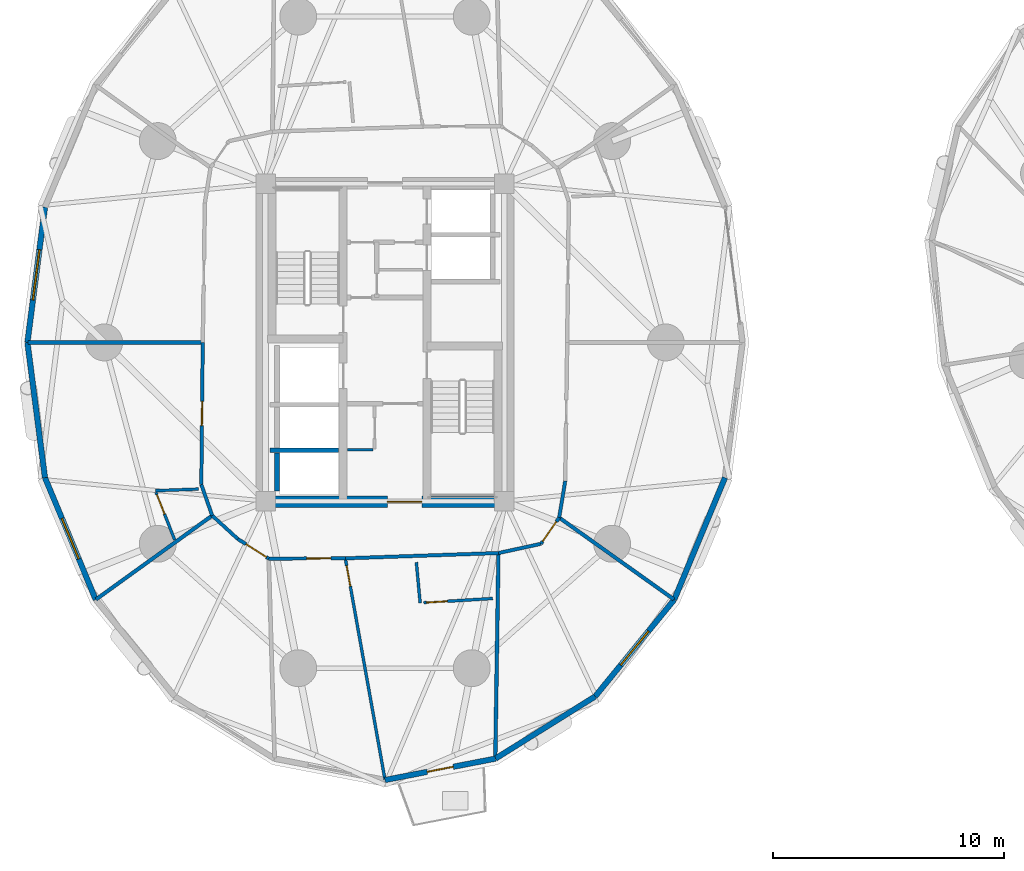
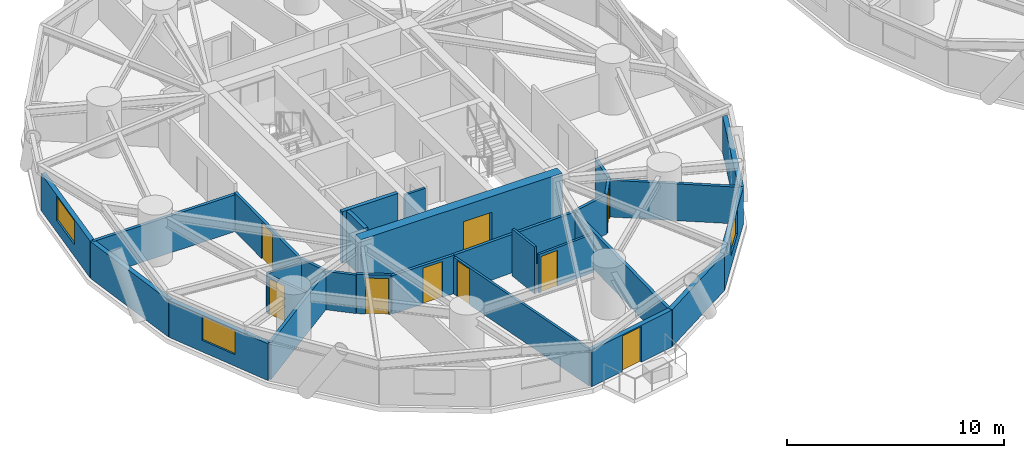
# One storey, part 9 of 19: 29 walls, 9 doors, 3 windows, 12 openings.
"""IFC4 building model written with IfcOpenShell, lengths in metres."""

from ifc_helpers import new_model, si_unit, direction, frame, frame_2d, origin, place, context, subcontext, project, spatial, rectangle, extrude, source, transform, mapped, material, layer, layer_set, type_object, element, fill, save


model = new_model("IFC4")

# Units and contexts
model_context = context("Model", 3, precision=1e-05, world=origin(), true_north=direction((0.0, 1.0)))
body_context = subcontext(model_context, "Body", "Model", "MODEL_VIEW")
ifc_project = project(units=[si_unit("LENGTHUNIT", "METRE"), si_unit("AREAUNIT", "SQUARE_METRE"), si_unit("VOLUMEUNIT", "CUBIC_METRE"), si_unit("PLANEANGLEUNIT", "RADIAN"), si_unit("MASSUNIT", "GRAM", prefix="KILO")], contexts=[model_context])

# Site, building, storey
site_placement = place(None, origin())
site = spatial("IfcSite", under=ifc_project, at=site_placement, CompositionType="ELEMENT")
building_placement = place(site_placement, origin())
building = spatial("IfcBuilding", under=site, at=building_placement, Name="Cununo Teusaquillo Station Towers", CompositionType="ELEMENT")
storey_placement = place(building_placement, frame((0.0, 0.0, 33.639892578125)))
storey = spatial("IfcBuildingStorey", under=building, at=storey_placement, Name="L09", CompositionType="ELEMENT", Elevation=33.639892578125)

# Walls
ifc_material_1 = material(Name="Concrete C50/60", Category="concrete")
ifc_layer_1 = layer(ifc_material_1, 0.199951171875)
ifc_layer_set_1 = layer_set([ifc_layer_1], Name="Concrete C50/60")
wall_type_1 = type_object("IfcWallType", Name="WL-CORE-200", PredefinedType="SHEAR", material=ifc_layer_set_1)
wall_1_placement = place(storey_placement, frame((11.52001953125, 19.824951171875, 0.0), z_axis=(0.0, 0.0, 1.0), x_axis=(1.0, 0.0, 0.0)))
element("IfcWall", 1, at=wall_1_placement, inside=storey, type_object=wall_type_1, Name="L09 Tower A High-Rise Lift Hoistway Divider Shear Wall", PredefinedType="SHEAR", context=body_context, shape_type="SweptSolid", body=[
    extrude(rectangle(XDim=2.969970703125, YDim=0.199951171875, at=frame_2d((1.48486328125, 0.0))), origin(), (0.0, 0.0, 1.0), 2.91015625),
])
wall_2_placement = place(storey_placement, frame((11.820068359375, 18.070068359375, 0.0), z_axis=(0.0, 0.0, 1.0), x_axis=(0.0, 1.0, 0.0)))
element("IfcWall", 2, at=wall_2_placement, inside=storey, type_object=wall_type_1, Name="L09 Tower A High-Rise Lift 1 Shaft Rear Shear Wall", PredefinedType="SHEAR", context=body_context, shape_type="SweptSolid", body=[
    extrude(rectangle(XDim=1.635009765625, YDim=0.199951171875, at=frame_2d((0.8173828125, 0.0))), origin(), (0.0, 0.0, 1.0), 2.91015625),
])

# Wall, opening, door
ifc_material_2 = material(Name="Concrete C60/75", Category="concrete")
ifc_layer_2 = layer(ifc_material_2, 0.5)
ifc_layer_set_2 = layer_set([ifc_layer_2], Name="Concrete C60/75")
wall_type_2 = type_object("IfcWallType", Name="WL-CORE-500", PredefinedType="SHEAR", material=ifc_layer_set_2)
wall_3_placement = place(storey_placement, frame((11.14990234375, 17.60009765625, 0.0), z_axis=(0.0, 0.0, 1.0), x_axis=(1.0, 0.0, 0.0)))
wall_3 = element("IfcWall", 3, at=wall_3_placement, inside=storey, type_object=wall_type_2, Name="L09 Tower A Core Shear Wall S", PredefinedType="SHEAR", context=body_context, shape_type="SweptSolid", body=[
    extrude(rectangle(XDim=10.7001953125, YDim=0.5, at=frame_2d((5.35009765625, 0.0))), origin(), (0.0, 0.0, 1.0), 2.91015625),
])
shared_shape_1 = source(origin(), body_context, "Body", "SweptSolid", [
    extrude(rectangle(XDim=1.5, YDim=2.02001953125, at=frame_2d((0.75, 1.010009765625))), frame((0.0, 0.260009765625, 0.0), z_axis=(0.0, -1.0, 0.0), x_axis=(1.0, 0.0, 0.0)), (0.0, 0.0, 1.0), 0.52001953125),
])
opening_1_placement = place(wall_3_placement, frame((5.449951171875, 0.0, 0.0)))
opening_1 = element("IfcOpeningElement", 4, at=opening_1_placement, cuts=wall_3, Name="Opening D-LB1", PredefinedType="OPENING", context=body_context, shape_type="MappedRepresentation", body=[
    mapped(shared_shape_1, transform((0.0, 0.0, 0.0), x_axis=(1.0, 0.0, 0.0), y_axis=(0.0, 1.0, 0.0), z_axis=(0.0, 0.0, 1.0), scale=1.0)),
])
ifc_material_3 = material(Name="Galvanised fire-rated hollow steel door assembly", Category="steel")
door_type_1 = type_object("IfcDoorType", Name="DR-LOBBY-1500", OperationType="DOUBLE_DOOR_SINGLE_SWING", PredefinedType="DOOR", material=ifc_material_3)
shared_shape_2 = source(origin(), body_context, "Body", "SweptSolid", [
    extrude(rectangle(XDim=1.5, YDim=2.02001953125, at=frame_2d((0.75, 1.010009765625))), frame((0.0, 0.02490234375, 0.0), z_axis=(0.0, -1.0, 0.0), x_axis=(1.0, 0.0, 0.0)), (0.0, 0.0, 1.0), 0.050048828125),
])
door_1_placement = place(opening_1_placement, origin())
door_1 = element("IfcDoor", 5, at=door_1_placement, inside=storey, type_object=door_type_1, Name="L09 Tower A South Core Lift Lobby Door", OperationType="DOUBLE_DOOR_SINGLE_SWING", OverallHeight=2.02001953125, OverallWidth=1.5, PredefinedType="DOOR", context=body_context, shape_type="MappedRepresentation", body=[
    mapped(shared_shape_2, transform((0.0, 0.0, 0.0), x_axis=(1.0, 0.0, 0.0), y_axis=(0.0, 1.0, 0.0), z_axis=(0.0, 0.0, 1.0), scale=1.0)),
])
fill(opening_1, door_1)

# Wall, opening, window
ifc_material_4 = material(Name="Precast concrete C40/50", Category="concrete")
ifc_layer_3 = layer(ifc_material_4, 0.239990234375)
ifc_layer_set_3 = layer_set([ifc_layer_3], Name="Precast concrete C40/50")
wall_type_3 = type_object("IfcWallType", Name="WL-EXT-240", PredefinedType="SOLIDWALL", material=ifc_layer_set_3)
wall_4_placement = place(storey_placement, frame((1.0009765625, 24.5, 0.0), z_axis=(0.0, 0.0, 1.0), x_axis=(0.128329107357, 0.991731637191, 0.0)))
wall_4 = element("IfcWall", 6, at=wall_4_placement, inside=storey, type_object=wall_type_3, Name="L09 Tower A Exterior Facade Wall C09", PredefinedType="SOLIDWALL", context=body_context, shape_type="SweptSolid", body=[
    extrude(rectangle(XDim=5.910888671875, YDim=0.239990234375, at=frame_2d((2.95556640625, 0.0))), origin(), (0.0, 0.0, 1.0), 2.072998046875),
])
shared_shape_3 = source(origin(), body_context, "Body", "SweptSolid", [
    extrude(rectangle(XDim=2.199951171875, YDim=1.35009765625, at=frame_2d((1.10009765625, 0.675048828125))), frame((0.0, 0.1298828125, 0.0), z_axis=(0.0, -1.0, 0.0), x_axis=(1.0, 0.0, 0.0)), (0.0, 0.0, 1.0), 0.260009765625),
])
opening_2_placement = place(wall_4_placement, frame((1.85498046875, 0.0, 0.64990234375)))
opening_2 = element("IfcOpeningElement", 7, at=opening_2_placement, cuts=wall_4, Name="Opening WN-01", PredefinedType="OPENING", context=body_context, shape_type="MappedRepresentation", body=[
    mapped(shared_shape_3, transform((0.0, 0.0, 0.0), x_axis=(1.0, 0.0, 0.0), y_axis=(0.0, 1.0, 0.0), z_axis=(0.0, 0.0, 1.0), scale=1.0)),
])
ifc_material_5 = material(Name="Ceramic-fritted dark low-E double glazing", Category="glass")
window_type_1 = type_object("IfcWindowType", Name="WIN-FRIT-2200", PartitioningType="DOUBLE_PANEL_VERTICAL", PredefinedType="WINDOW", material=ifc_material_5)
shared_shape_4 = source(origin(), body_context, "Body", "SweptSolid", [
    extrude(rectangle(XDim=2.199951171875, YDim=1.35009765625, at=frame_2d((1.10009765625, 0.675048828125))), frame((0.0, 0.030029296875, 0.0), z_axis=(0.0, -1.0, 0.0), x_axis=(1.0, 0.0, 0.0)), (0.0, 0.0, 1.0), 0.06005859375),
])
window_1_placement = place(opening_2_placement, origin())
window_1 = element("IfcWindow", 8, at=window_1_placement, inside=storey, type_object=window_type_1, Name="L09 Tower A Facade Window C09", OverallHeight=1.35009765625, OverallWidth=2.199951171875, PartitioningType="DOUBLE_PANEL_VERTICAL", PredefinedType="WINDOW", context=body_context, shape_type="MappedRepresentation", body=[
    mapped(shared_shape_4, transform((0.0, 0.0, 0.0), x_axis=(1.0, 0.0, 0.0), y_axis=(0.0, 1.0, 0.0), z_axis=(0.0, 0.0, 1.0), scale=1.0)),
])
fill(opening_2, window_1)

# Wall
wall_5_placement = place(storey_placement, frame((1.759521484375, 18.637939453125, 0.0), z_axis=(0.0, 0.0, 1.0), x_axis=(-0.128329107357, 0.991731637191, 0.0)))
element("IfcWall", 9, at=wall_5_placement, inside=storey, type_object=wall_type_3, Name="L09 Tower A Exterior Facade Wall C10", PredefinedType="SOLIDWALL", context=body_context, shape_type="SweptSolid", body=[
    extrude(rectangle(XDim=5.910888671875, YDim=0.239990234375, at=frame_2d((2.95556640625, 0.0))), origin(), (0.0, 0.0, 1.0), 2.072998046875),
])

# Wall, opening, window
wall_6_placement = place(storey_placement, frame((3.9609375, 13.349609375, 0.0), z_axis=(0.0, 0.0, 1.0), x_axis=(-0.38430970593, 0.923204229804, 0.0)))
wall_6 = element("IfcWall", 10, at=wall_6_placement, inside=storey, type_object=wall_type_3, Name="L09 Tower A Exterior Facade Wall C11", PredefinedType="SOLIDWALL", context=body_context, shape_type="SweptSolid", body=[
    extrude(rectangle(XDim=5.728271484375, YDim=0.239990234375, at=frame_2d((2.8642578125, 0.0))), origin(), (0.0, 0.0, 1.0), 2.072998046875),
])
shared_shape_5 = source(origin(), body_context, "Body", "SweptSolid", [
    extrude(rectangle(XDim=1.89990234375, YDim=1.35009765625, at=frame_2d((0.949951171875, 0.675048828125))), frame((0.0, 0.1298828125, 0.0), z_axis=(0.0, -1.0, 0.0), x_axis=(1.0, 0.0, 0.0)), (0.0, 0.0, 1.0), 0.260009765625),
])
opening_3_placement = place(wall_6_placement, frame((1.9140625, 0.0, 0.64990234375)))
opening_3 = element("IfcOpeningElement", 11, at=opening_3_placement, cuts=wall_6, Name="Opening WN-02", PredefinedType="OPENING", context=body_context, shape_type="MappedRepresentation", body=[
    mapped(shared_shape_5, transform((0.0, 0.0, 0.0), x_axis=(1.0, 0.0, 0.0), y_axis=(0.0, 1.0, 0.0), z_axis=(0.0, 0.0, 1.0), scale=1.0)),
])
ifc_material_6 = material(Name="Operable acoustic tinted low-E double glazing", Category="glass")
window_type_2 = type_object("IfcWindowType", Name="WIN-OPER-1900", PartitioningType="DOUBLE_PANEL_VERTICAL", PredefinedType="WINDOW", material=ifc_material_6)
shared_shape_6 = source(origin(), body_context, "Body", "SweptSolid", [
    extrude(rectangle(XDim=1.89990234375, YDim=1.35009765625, at=frame_2d((0.949951171875, 0.675048828125))), frame((0.0, 0.030029296875, 0.0), z_axis=(0.0, -1.0, 0.0), x_axis=(1.0, 0.0, 0.0)), (0.0, 0.0, 1.0), 0.06005859375),
])
window_2_placement = place(opening_3_placement, origin())
window_2 = element("IfcWindow", 12, at=window_2_placement, inside=storey, type_object=window_type_2, Name="L09 Tower A Facade Window C11", OverallHeight=1.35009765625, OverallWidth=1.89990234375, PartitioningType="DOUBLE_PANEL_VERTICAL", PredefinedType="WINDOW", context=body_context, shape_type="MappedRepresentation", body=[
    mapped(shared_shape_6, transform((0.0, 0.0, 0.0), x_axis=(1.0, 0.0, 0.0), y_axis=(0.0, 1.0, 0.0), z_axis=(0.0, 0.0, 1.0), scale=1.0)),
])
fill(opening_3, window_2)

# Wall, opening, door
wall_7_placement = place(storey_placement, frame((21.28955078125, 6.45849609375, 0.0), z_axis=(0.0, 0.0, 1.0), x_axis=(-0.981724094622, -0.190309752872, 0.0)))
wall_7 = element("IfcWall", 13, at=wall_7_placement, inside=storey, type_object=wall_type_3, Name="L09 Tower A Exterior Facade Wall C15", PredefinedType="SOLIDWALL", context=body_context, shape_type="SweptSolid", body=[
    extrude(rectangle(XDim=4.878662109375, YDim=0.239990234375, at=frame_2d((2.439453125, 0.0))), origin(), (0.0, 0.0, 1.0), 2.072998046875),
])
shared_shape_7 = source(origin(), body_context, "Body", "SweptSolid", [
    extrude(rectangle(XDim=1.14990234375, YDim=2.0048828125, at=frame_2d((0.574951171875, 1.00244140625))), frame((0.0, 0.1298828125, 0.0), z_axis=(0.0, -1.0, 0.0), x_axis=(1.0, 0.0, 0.0)), (0.0, 0.0, 1.0), 0.260009765625),
])
opening_4_placement = place(wall_7_placement, frame((1.864013671875, 0.0, 0.0)))
opening_4 = element("IfcOpeningElement", 14, at=opening_4_placement, cuts=wall_7, Name="Opening ED-03", PredefinedType="OPENING", context=body_context, shape_type="MappedRepresentation", body=[
    mapped(shared_shape_7, transform((0.0, 0.0, 0.0), x_axis=(1.0, 0.0, 0.0), y_axis=(0.0, 1.0, 0.0), z_axis=(0.0, 0.0, 1.0), scale=1.0)),
])
ifc_material_7 = material(Name="Anodised dark bronze aluminium EN AW-6063-T6", Category="aluminium")
door_type_2 = type_object("IfcDoorType", Name="DR-EXT-BAL", OperationType="NOTDEFINED", PredefinedType="DOOR", material=ifc_material_7)
shared_shape_8 = source(origin(), body_context, "Body", "SweptSolid", [
    extrude(rectangle(XDim=1.14990234375, YDim=2.0048828125, at=frame_2d((0.574951171875, 1.00244140625))), frame((0.0, 0.02490234375, 0.0), z_axis=(0.0, -1.0, 0.0), x_axis=(1.0, 0.0, 0.0)), (0.0, 0.0, 1.0), 0.050048828125),
])
door_2_placement = place(opening_4_placement, origin())
door_2 = element("IfcDoor", 15, at=door_2_placement, inside=storey, type_object=door_type_2, Name="L09 Tower A Tree Balcony Door C15", OperationType="SINGLE_SWING_LEFT", OverallHeight=2.0048828125, OverallWidth=1.14990234375, PredefinedType="DOOR", context=body_context, shape_type="MappedRepresentation", body=[
    mapped(shared_shape_8, transform((0.0, 0.0, 0.0), x_axis=(1.0, 0.0, 0.0), y_axis=(0.0, 1.0, 0.0), z_axis=(0.0, 0.0, 1.0), scale=1.0)),
])
fill(opening_4, door_2)

# Wall
wall_8_placement = place(storey_placement, frame((25.610107421875, 9.15283203125, 0.0), z_axis=(0.0, 0.0, 1.0), x_axis=(-0.848528534887, -0.529149624853, 0.0)))
element("IfcWall", 16, at=wall_8_placement, inside=storey, type_object=wall_type_3, Name="L09 Tower A Exterior Facade Wall C16", PredefinedType="SOLIDWALL", context=body_context, shape_type="SweptSolid", body=[
    extrude(rectangle(XDim=5.091796875, YDim=0.239990234375, at=frame_2d((2.5458984375, 0.0))), origin(), (0.0, 0.0, 1.0), 2.072998046875),
])

# Wall, opening, window
wall_9_placement = place(storey_placement, frame((29.0390625, 13.349609375, 0.0), z_axis=(0.0, 0.0, 1.0), x_axis=(-0.632710215588, -0.774388651189, 0.0)))
wall_9 = element("IfcWall", 17, at=wall_9_placement, inside=storey, type_object=wall_type_3, Name="L09 Tower A Exterior Facade Wall C17", PredefinedType="SOLIDWALL", context=body_context, shape_type="SweptSolid", body=[
    extrude(rectangle(XDim=5.41943359375, YDim=0.239990234375, at=frame_2d((2.709716796875, 0.0))), origin(), (0.0, 0.0, 1.0), 2.072998046875),
])
opening_5_placement = place(wall_9_placement, frame((1.760009765625, 0.0, 0.64990234375)))
opening_5 = element("IfcOpeningElement", 18, at=opening_5_placement, cuts=wall_9, Name="Opening WN-02", PredefinedType="OPENING", context=body_context, shape_type="MappedRepresentation", body=[
    mapped(shared_shape_5, transform((0.0, 0.0, 0.0), x_axis=(1.0, 0.0, 0.0), y_axis=(0.0, 1.0, 0.0), z_axis=(0.0, 0.0, 1.0), scale=1.0)),
])
window_3_placement = place(opening_5_placement, origin())
window_3 = element("IfcWindow", 19, at=window_3_placement, inside=storey, type_object=window_type_2, Name="L09 Tower A Facade Window C17", OverallHeight=1.35009765625, OverallWidth=1.89990234375, PartitioningType="DOUBLE_PANEL_VERTICAL", PredefinedType="WINDOW", context=body_context, shape_type="MappedRepresentation", body=[
    mapped(shared_shape_6, transform((0.0, 0.0, 0.0), x_axis=(1.0, 0.0, 0.0), y_axis=(0.0, 1.0, 0.0), z_axis=(0.0, 0.0, 1.0), scale=1.0)),
])
fill(opening_5, window_3)

# Walls
wall_10_placement = place(storey_placement, frame((31.240478515625, 18.637939453125, 0.0), z_axis=(0.0, 0.0, 1.0), x_axis=(-0.38430970593, -0.923204229804, 0.0)))
element("IfcWall", 20, at=wall_10_placement, inside=storey, type_object=wall_type_3, Name="L09 Tower A Exterior Facade Wall C18", PredefinedType="SOLIDWALL", context=body_context, shape_type="SweptSolid", body=[
    extrude(rectangle(XDim=5.728271484375, YDim=0.239990234375, at=frame_2d((2.8642578125, 0.0))), origin(), (0.0, 0.0, 1.0), 2.072998046875),
])
ifc_material_8 = material(Name="Fire-rated gypsum plasterboard partition assembly", Category="gypsum")
ifc_layer_4 = layer(ifc_material_8, 0.125)
ifc_layer_set_4 = layer_set([ifc_layer_4], Name="Fire-rated gypsum plasterboard partition assembly")
wall_type_4 = type_object("IfcWallType", Name="WL-PART-125", PredefinedType="PARTITIONING", material=ifc_layer_set_4)
wall_11_placement = place(storey_placement, frame((14.8798828125, 19.85009765625, 0.0), z_axis=(0.0, 0.0, 1.0), x_axis=(1.0, 0.0, 0.0)))
element("IfcWall", 21, at=wall_11_placement, inside=storey, type_object=wall_type_4, Name="L09 Tower A North-West Lobby Store South Wall", PredefinedType="PARTITIONING", context=body_context, shape_type="SweptSolid", body=[
    extrude(rectangle(XDim=1.10009765625, YDim=0.125, at=frame_2d((0.550048828125, 0.0))), origin(), (0.0, 0.0, 1.0), 2.635009765625),
])
wall_12_placement = place(storey_placement, frame((8.40869140625, 18.142578125, 0.0), z_axis=(0.0, 0.0, 1.0), x_axis=(-0.999294242072, -0.037563516369, 0.0)))
element("IfcWall", 22, at=wall_12_placement, inside=storey, type_object=wall_type_4, Name="L09 Tower A S06 En-suite Side Wall", PredefinedType="PARTITIONING", context=body_context, shape_type="SweptSolid", body=[
    extrude(rectangle(XDim=1.865234375, YDim=0.125, at=frame_2d((0.9326171875, 0.0))), origin(), (0.0, 0.0, 1.0), 2.205078125),
])

# Wall, opening, door
wall_13_placement = place(storey_placement, frame((6.570068359375, 18.0078125, 0.0), z_axis=(0.0, 0.0, 1.0), x_axis=(0.365917141159, -0.930647433675, 0.0)))
wall_13 = element("IfcWall", 23, at=wall_13_placement, inside=storey, type_object=wall_type_4, Name="L09 Tower A S06 En-suite Back Wall", PredefinedType="PARTITIONING", context=body_context, shape_type="SweptSolid", body=[
    extrude(rectangle(XDim=2.22509765625, YDim=0.125, at=frame_2d((1.112548828125, 0.0))), origin(), (0.0, 0.0, 1.0), 2.1591796875),
])
shared_shape_9 = source(origin(), body_context, "Body", "SweptSolid", [
    extrude(rectangle(XDim=0.89990234375, YDim=2.0048828125, at=frame_2d((0.449951171875, 1.00244140625))), frame((0.0, 0.072509765625, 0.0), z_axis=(0.0, -1.0, 0.0), x_axis=(1.0, 0.0, 0.0)), (0.0, 0.0, 1.0), 0.14501953125),
])
opening_6_placement = place(wall_13_placement, frame((0.1201171875, 0.0, 0.0)))
opening_6 = element("IfcOpeningElement", 24, at=opening_6_placement, cuts=wall_13, Name="Opening D-IN1", PredefinedType="OPENING", context=body_context, shape_type="MappedRepresentation", body=[
    mapped(shared_shape_9, transform((0.0, 0.0, 0.0), x_axis=(1.0, 0.0, 0.0), y_axis=(0.0, 1.0, 0.0), z_axis=(0.0, 0.0, 1.0), scale=1.0)),
])
ifc_material_9 = material(Name="Acoustic solid-core hardwood leaf assembly", Category="wood")
door_type_3 = type_object("IfcDoorType", Name="DR-INT-900", OperationType="NOTDEFINED", PredefinedType="DOOR", material=ifc_material_9)
shared_shape_10 = source(origin(), body_context, "Body", "SweptSolid", [
    extrude(rectangle(XDim=0.89990234375, YDim=2.0048828125, at=frame_2d((0.449951171875, 1.00244140625))), frame((0.0, 0.02490234375, 0.0), z_axis=(0.0, -1.0, 0.0), x_axis=(1.0, 0.0, 0.0)), (0.0, 0.0, 1.0), 0.050048828125),
])
door_3_placement = place(opening_6_placement, origin())
door_3 = element("IfcDoor", 25, at=door_3_placement, inside=storey, type_object=door_type_3, Name="L09 Tower A S06 En-suite Bathroom Door", OperationType="SINGLE_SWING_RIGHT", OverallHeight=2.0048828125, OverallWidth=0.89990234375, PredefinedType="DOOR", context=body_context, shape_type="MappedRepresentation", body=[
    mapped(shared_shape_10, transform((0.0, 0.0, 0.0), x_axis=(1.0, 0.0, 0.0), y_axis=(0.0, 1.0, 0.0), z_axis=(0.0, 0.0, 1.0), scale=1.0)),
])
fill(opening_6, door_3)

wall_14_placement = place(storey_placement, frame((14.781005859375, 15.140625, 0.0), z_axis=(0.0, 0.0, 1.0), x_axis=(0.176426287524, -0.984313854962, 0.0)))
wall_14 = element("IfcWall", 26, at=wall_14_placement, inside=storey, type_object=wall_type_4, Name="L09 Tower A Diplomatic Corner Hotel Suite Suite Subdividing Wall", PredefinedType="PARTITIONING", context=body_context, shape_type="SweptSolid", body=[
    extrude(rectangle(XDim=9.743408203125, YDim=0.125, at=frame_2d((4.87158203125, 0.0))), origin(), (0.0, 0.0, 1.0), 2.072998046875),
])
opening_7_placement = place(wall_14_placement, frame((0.330078125, 0.0, 0.0)))
opening_7 = element("IfcOpeningElement", 27, at=opening_7_placement, cuts=wall_14, Name="Opening D-IN1", PredefinedType="OPENING", context=body_context, shape_type="MappedRepresentation", body=[
    mapped(shared_shape_9, transform((0.0, 0.0, 0.0), x_axis=(1.0, 0.0, 0.0), y_axis=(0.0, 1.0, 0.0), z_axis=(0.0, 0.0, 1.0), scale=1.0)),
])
door_4_placement = place(opening_7_placement, origin())
door_4 = element("IfcDoor", 28, at=door_4_placement, inside=storey, type_object=door_type_3, Name="L09 Tower A Diplomatic Corner Hotel Suite Suite Connecting Door", OperationType="SINGLE_SWING_LEFT", OverallHeight=2.0048828125, OverallWidth=0.89990234375, PredefinedType="DOOR", context=body_context, shape_type="MappedRepresentation", body=[
    mapped(shared_shape_10, transform((0.0, 0.0, 0.0), x_axis=(1.0, 0.0, 0.0), y_axis=(0.0, 1.0, 0.0), z_axis=(0.0, 0.0, 1.0), scale=1.0)),
])
fill(opening_7, door_4)

# Wall
wall_15_placement = place(storey_placement, frame((17.8603515625, 14.967529296875, 0.0), z_axis=(0.0, 0.0, 1.0), x_axis=(0.093037102593, -0.995662642435, 0.0)))
element("IfcWall", 29, at=wall_15_placement, inside=storey, type_object=wall_type_4, Name="L09 Tower A S08 En-suite Side Wall", PredefinedType="PARTITIONING", context=body_context, shape_type="SweptSolid", body=[
    extrude(rectangle(XDim=1.7685546875, YDim=0.125, at=frame_2d((0.88427734375, 0.0))), origin(), (0.0, 0.0, 1.0), 2.635009765625),
])

# Wall, opening, door
wall_16_placement = place(storey_placement, frame((18.1806640625, 13.216064453125, 0.0), z_axis=(0.0, 0.0, 1.0), x_axis=(0.998120468621, 0.061282380177, 0.0)))
wall_16 = element("IfcWall", 30, at=wall_16_placement, inside=storey, type_object=wall_type_4, Name="L09 Tower A S08 En-suite Back Wall", PredefinedType="PARTITIONING", context=body_context, shape_type="SweptSolid", body=[
    extrude(rectangle(XDim=2.995849609375, YDim=0.125, at=frame_2d((1.498046875, 0.0))), origin(), (0.0, 0.0, 1.0), 2.1591796875),
])
opening_8_placement = place(wall_16_placement, frame((0.1201171875, 0.0, 0.0)))
opening_8 = element("IfcOpeningElement", 31, at=opening_8_placement, cuts=wall_16, Name="Opening D-IN1", PredefinedType="OPENING", context=body_context, shape_type="MappedRepresentation", body=[
    mapped(shared_shape_9, transform((0.0, 0.0, 0.0), x_axis=(1.0, 0.0, 0.0), y_axis=(0.0, 1.0, 0.0), z_axis=(0.0, 0.0, 1.0), scale=1.0)),
])
door_5_placement = place(opening_8_placement, origin())
door_5 = element("IfcDoor", 32, at=door_5_placement, inside=storey, type_object=door_type_3, Name="L09 Tower A S08 En-suite Bathroom Door", OperationType="SINGLE_SWING_RIGHT", OverallHeight=2.0048828125, OverallWidth=0.89990234375, PredefinedType="DOOR", context=body_context, shape_type="MappedRepresentation", body=[
    mapped(shared_shape_10, transform((0.0, 0.0, 0.0), x_axis=(1.0, 0.0, 0.0), y_axis=(0.0, 1.0, 0.0), z_axis=(0.0, 0.0, 1.0), scale=1.0)),
])
fill(opening_8, door_5)

ifc_material_10 = material(Name="Fire-rated gypsum plasterboard partition assembly", Category="gypsum")
ifc_layer_5 = layer(ifc_material_10, 0.14990234375)
ifc_layer_set_5 = layer_set([ifc_layer_5], Name="Fire-rated gypsum plasterboard partition assembly")
wall_type_5 = type_object("IfcWallType", Name="WL-PART-150", PredefinedType="PARTITIONING", material=ifc_layer_set_5)
wall_17_placement = place(storey_placement, frame((8.60009765625, 24.5, 0.0), z_axis=(0.0, 0.0, 1.0), x_axis=(-0.010023665349, -0.999949761805, 0.0)))
wall_17 = element("IfcWall", 33, at=wall_17_placement, inside=storey, type_object=wall_type_5, Name="L09 Tower A Corridor Ring Wall C10", PredefinedType="PARTITIONING", context=body_context, shape_type="SweptSolid", body=[
    extrude(rectangle(XDim=6.162109375, YDim=0.14990234375, at=frame_2d((3.0810546875, 0.0))), origin(), (0.0, 0.0, 1.0), 2.1591796875),
])
shared_shape_11 = source(origin(), body_context, "Body", "SweptSolid", [
    extrude(rectangle(XDim=1.050048828125, YDim=2.014892578125, at=frame_2d((0.52490234375, 1.00732421875))), frame((0.0, 0.0849609375, 0.0), z_axis=(0.0, -1.0, 0.0), x_axis=(1.0, 0.0, 0.0)), (0.0, 0.0, 1.0), 0.169921875),
])
opening_9_placement = place(wall_17_placement, frame((2.55615234375, 0.0, 0.0)))
opening_9 = element("IfcOpeningElement", 34, at=opening_9_placement, cuts=wall_17, Name="Opening D-SU1", PredefinedType="OPENING", context=body_context, shape_type="MappedRepresentation", body=[
    mapped(shared_shape_11, transform((0.0, 0.0, 0.0), x_axis=(1.0, 0.0, 0.0), y_axis=(0.0, 1.0, 0.0), z_axis=(0.0, 0.0, 1.0), scale=1.0)),
])
ifc_material_11 = material(Name="Acoustic solid-core hardwood leaf assembly", Category="wood")
door_type_4 = type_object("IfcDoorType", Name="DR-SUITE-1050", OperationType="NOTDEFINED", PredefinedType="DOOR", material=ifc_material_11)
shared_shape_12 = source(origin(), body_context, "Body", "SweptSolid", [
    extrude(rectangle(XDim=1.050048828125, YDim=2.014892578125, at=frame_2d((0.52490234375, 1.00732421875))), frame((0.0, 0.02490234375, 0.0), z_axis=(0.0, -1.0, 0.0), x_axis=(1.0, 0.0, 0.0)), (0.0, 0.0, 1.0), 0.050048828125),
])
door_6_placement = place(opening_9_placement, origin())
door_6 = element("IfcDoor", 35, at=door_6_placement, inside=storey, type_object=door_type_4, Name="L09 Tower A Ambassador Hospitality Suite Entrance Door", OperationType="SINGLE_SWING_LEFT", OverallHeight=2.014892578125, OverallWidth=1.050048828125, PredefinedType="DOOR", context=body_context, shape_type="MappedRepresentation", body=[
    mapped(shared_shape_12, transform((0.0, 0.0, 0.0), x_axis=(1.0, 0.0, 0.0), y_axis=(0.0, 1.0, 0.0), z_axis=(0.0, 0.0, 1.0), scale=1.0)),
])
fill(opening_9, door_6)

# Walls
wall_18_placement = place(storey_placement, frame((8.538330078125, 18.338134765625, 0.0), z_axis=(0.0, 0.0, 1.0), x_axis=(0.331358150167, -0.94350504838, 0.0)))
element("IfcWall", 36, at=wall_18_placement, inside=storey, type_object=wall_type_5, Name="L09 Tower A Corridor Ring Wall C11", PredefinedType="PARTITIONING", context=body_context, shape_type="SweptSolid", body=[
    extrude(rectangle(XDim=1.42431640625, YDim=0.14990234375, at=frame_2d((0.712158203125, 0.0))), origin(), (0.0, 0.0, 1.0), 2.205078125),
])
wall_19_placement = place(storey_placement, frame((9.01025390625, 16.994384765625, 0.0), z_axis=(0.0, 0.0, 1.0), x_axis=(0.737701798986, -0.67512669609, 0.0)))
element("IfcWall", 37, at=wall_19_placement, inside=storey, type_object=wall_type_5, Name="L09 Tower A Corridor Ring Wall C12", PredefinedType="PARTITIONING", context=body_context, shape_type="SweptSolid", body=[
    extrude(rectangle(XDim=1.498291015625, YDim=0.14990234375, at=frame_2d((0.7490234375, 0.0))), origin(), (0.0, 0.0, 1.0), 2.1591796875),
])

# Wall, opening, door
wall_20_placement = place(storey_placement, frame((10.115478515625, 15.98291015625, 0.0), z_axis=(0.0, 0.0, 1.0), x_axis=(0.843995849351, -0.536349705209, 0.0)))
wall_20 = element("IfcWall", 38, at=wall_20_placement, inside=storey, type_object=wall_type_5, Name="L09 Tower A Corridor Ring Wall C13", PredefinedType="PARTITIONING", context=body_context, shape_type="SweptSolid", body=[
    extrude(rectangle(XDim=1.5927734375, YDim=0.14990234375, at=frame_2d((0.79638671875, 0.0))), origin(), (0.0, 0.0, 1.0), 2.205078125),
])
opening_10_placement = place(wall_20_placement, frame((0.422607421875, 0.0, 0.0)))
opening_10 = element("IfcOpeningElement", 39, at=opening_10_placement, cuts=wall_20, Name="Opening D-SU1", PredefinedType="OPENING", context=body_context, shape_type="MappedRepresentation", body=[
    mapped(shared_shape_11, transform((0.0, 0.0, 0.0), x_axis=(1.0, 0.0, 0.0), y_axis=(0.0, 1.0, 0.0), z_axis=(0.0, 0.0, 1.0), scale=1.0)),
])
door_7_placement = place(opening_10_placement, origin())
door_7 = element("IfcDoor", 40, at=door_7_placement, inside=storey, type_object=door_type_4, Name="L09 Tower A Hotel Tea & Reading Salon Entrance Door", OperationType="SINGLE_SWING_LEFT", OverallHeight=2.014892578125, OverallWidth=1.050048828125, PredefinedType="DOOR", context=body_context, shape_type="MappedRepresentation", body=[
    mapped(shared_shape_12, transform((0.0, 0.0, 0.0), x_axis=(1.0, 0.0, 0.0), y_axis=(0.0, 1.0, 0.0), z_axis=(0.0, 0.0, 1.0), scale=1.0)),
])
fill(opening_10, door_7)

wall_21_placement = place(storey_placement, frame((11.459716796875, 15.128662109375, 0.0), z_axis=(0.0, 0.0, 1.0), x_axis=(0.999993513287, 0.003601858435, 0.0)))
wall_21 = element("IfcWall", 41, at=wall_21_placement, inside=storey, type_object=wall_type_5, Name="L09 Tower A Corridor Ring Wall C14", PredefinedType="PARTITIONING", context=body_context, shape_type="SweptSolid", body=[
    extrude(rectangle(XDim=3.3212890625, YDim=0.14990234375, at=frame_2d((1.66064453125, 0.0))), origin(), (0.0, 0.0, 1.0), 2.1591796875),
])
opening_11_placement = place(wall_21_placement, frame((1.643310546875, 0.0, 0.0)))
opening_11 = element("IfcOpeningElement", 42, at=opening_11_placement, cuts=wall_21, Name="Opening D-SU1", PredefinedType="OPENING", context=body_context, shape_type="MappedRepresentation", body=[
    mapped(shared_shape_11, transform((0.0, 0.0, 0.0), x_axis=(1.0, 0.0, 0.0), y_axis=(0.0, 1.0, 0.0), z_axis=(0.0, 0.0, 1.0), scale=1.0)),
])
door_8_placement = place(opening_11_placement, origin())
door_8 = element("IfcDoor", 43, at=door_8_placement, inside=storey, type_object=door_type_4, Name="L09 Tower A Diplomatic Corner Hotel Suite Entrance Door", OperationType="SINGLE_SWING_RIGHT", OverallHeight=2.014892578125, OverallWidth=1.050048828125, PredefinedType="DOOR", context=body_context, shape_type="MappedRepresentation", body=[
    mapped(shared_shape_12, transform((0.0, 0.0, 0.0), x_axis=(1.0, 0.0, 0.0), y_axis=(0.0, 1.0, 0.0), z_axis=(0.0, 0.0, 1.0), scale=1.0)),
])
fill(opening_11, door_8)

# Walls
wall_22_placement = place(storey_placement, frame((14.781005859375, 15.140625, 0.0), z_axis=(0.0, 0.0, 1.0), x_axis=(0.999407918707, 0.034406569513, 0.0)))
element("IfcWall", 44, at=wall_22_placement, inside=storey, type_object=wall_type_5, Name="L09 Tower A Corridor Ring Wall C15", PredefinedType="PARTITIONING", context=body_context, shape_type="SweptSolid", body=[
    extrude(rectangle(XDim=6.6416015625, YDim=0.14990234375, at=frame_2d((3.32080078125, 0.0))), origin(), (0.0, 0.0, 1.0), 2.1591796875),
])
wall_23_placement = place(storey_placement, frame((21.418701171875, 15.369140625, 0.0), z_axis=(0.0, 0.0, 1.0), x_axis=(0.977192701953, 0.212354475464, 0.0)))
element("IfcWall", 45, at=wall_23_placement, inside=storey, type_object=wall_type_5, Name="L09 Tower A Corridor Ring Wall C16", PredefinedType="PARTITIONING", context=body_context, shape_type="SweptSolid", body=[
    extrude(rectangle(XDim=1.8876953125, YDim=0.14990234375, at=frame_2d((0.94384765625, 0.0))), origin(), (0.0, 0.0, 1.0), 2.205078125),
])

# Wall, opening, door
wall_24_placement = place(storey_placement, frame((23.263427734375, 15.77001953125, 0.0), z_axis=(0.0, 0.0, 1.0), x_axis=(0.570743456919, 0.821128434768, 0.0)))
wall_24 = element("IfcWall", 46, at=wall_24_placement, inside=storey, type_object=wall_type_5, Name="L09 Tower A Corridor Ring Wall C17", PredefinedType="PARTITIONING", context=body_context, shape_type="SweptSolid", body=[
    extrude(rectangle(XDim=1.381591796875, YDim=0.14990234375, at=frame_2d((0.69091796875, 0.0))), origin(), (0.0, 0.0, 1.0), 2.1591796875),
])
opening_12_placement = place(wall_24_placement, frame((0.1201171875, 0.0, 0.0)))
opening_12 = element("IfcOpeningElement", 47, at=opening_12_placement, cuts=wall_24, Name="Opening D-SU1", PredefinedType="OPENING", context=body_context, shape_type="MappedRepresentation", body=[
    mapped(shared_shape_11, transform((0.0, 0.0, 0.0), x_axis=(1.0, 0.0, 0.0), y_axis=(0.0, 1.0, 0.0), z_axis=(0.0, 0.0, 1.0), scale=1.0)),
])
door_9_placement = place(opening_12_placement, origin())
door_9 = element("IfcDoor", 48, at=door_9_placement, inside=storey, type_object=door_type_4, Name="L09 Tower A Hotel Housekeeping & Linen Pantry Entrance Door", OperationType="SINGLE_SWING_LEFT", OverallHeight=2.014892578125, OverallWidth=1.050048828125, PredefinedType="DOOR", context=body_context, shape_type="MappedRepresentation", body=[
    mapped(shared_shape_12, transform((0.0, 0.0, 0.0), x_axis=(1.0, 0.0, 0.0), y_axis=(0.0, 1.0, 0.0), z_axis=(0.0, 0.0, 1.0), scale=1.0)),
])
fill(opening_12, door_9)

# Walls
wall_25_placement = place(storey_placement, frame((24.052001953125, 16.904541015625, 0.0), z_axis=(0.0, 0.0, 1.0), x_axis=(0.162091534225, 0.986775726562, 0.0)))
element("IfcWall", 49, at=wall_25_placement, inside=storey, type_object=wall_type_5, Name="L09 Tower A Corridor Ring Wall C18", PredefinedType="PARTITIONING", context=body_context, shape_type="SweptSolid", body=[
    extrude(rectangle(XDim=1.613037109375, YDim=0.14990234375, at=frame_2d((0.806640625, 0.0))), origin(), (0.0, 0.0, 1.0), 2.205078125),
])
ifc_material_12 = material(Name="Fire-rated gypsum plasterboard partition assembly", Category="gypsum")
ifc_layer_6 = layer(ifc_material_12, 0.159912109375)
ifc_layer_set_6 = layer_set([ifc_layer_6], Name="Fire-rated gypsum plasterboard partition assembly")
wall_type_6 = type_object("IfcWallType", Name="WL-PART-160", PredefinedType="PARTITIONING", material=ifc_layer_set_6)
wall_26_placement = place(storey_placement, frame((8.60009765625, 24.5, 0.0), z_axis=(0.0, 0.0, 1.0), x_axis=(-1.0, 0.0, 0.0)))
element("IfcWall", 50, at=wall_26_placement, inside=storey, type_object=wall_type_6, Name="L09 Tower A Radial Suite Partition R06", PredefinedType="PARTITIONING", context=body_context, shape_type="SweptSolid", body=[
    extrude(rectangle(XDim=7.5791015625, YDim=0.159912109375, at=frame_2d((3.78955078125, 0.0))), origin(), (0.0, 0.0, 1.0), 2.072998046875),
])
wall_27_placement = place(storey_placement, frame((9.01025390625, 16.994384765625, 0.0), z_axis=(0.0, 0.0, 1.0), x_axis=(-0.810839958558, -0.585267940012, 0.0)))
element("IfcWall", 51, at=wall_27_placement, inside=storey, type_object=wall_type_6, Name="L09 Tower A Radial Suite Partition R07", PredefinedType="PARTITIONING", context=body_context, shape_type="SweptSolid", body=[
    extrude(rectangle(XDim=6.20703125, YDim=0.159912109375, at=frame_2d((3.103515625, 0.0))), origin(), (0.0, 0.0, 1.0), 2.072998046875),
])
wall_28_placement = place(storey_placement, frame((21.418701171875, 15.369140625, 0.0), z_axis=(0.0, 0.0, 1.0), x_axis=(-0.015237110632, -0.999883908491, 0.0)))
element("IfcWall", 52, at=wall_28_placement, inside=storey, type_object=wall_type_6, Name="L09 Tower A Radial Suite Partition R09", PredefinedType="PARTITIONING", context=body_context, shape_type="SweptSolid", body=[
    extrude(rectangle(XDim=8.892578125, YDim=0.159912109375, at=frame_2d((4.4462890625, 0.0))), origin(), (0.0, 0.0, 1.0), 2.072998046875),
])
wall_29_placement = place(storey_placement, frame((24.052001953125, 16.904541015625, 0.0), z_axis=(0.0, 0.0, 1.0), x_axis=(0.814316784985, -0.580420686822, 0.0)))
element("IfcWall", 53, at=wall_29_placement, inside=storey, type_object=wall_type_6, Name="L09 Tower A Radial Suite Partition R10", PredefinedType="PARTITIONING", context=body_context, shape_type="SweptSolid", body=[
    extrude(rectangle(XDim=6.104248046875, YDim=0.159912109375, at=frame_2d((3.05224609375, 0.0))), origin(), (0.0, 0.0, 1.0), 2.072998046875),
])

save(model, "model.ifc")
